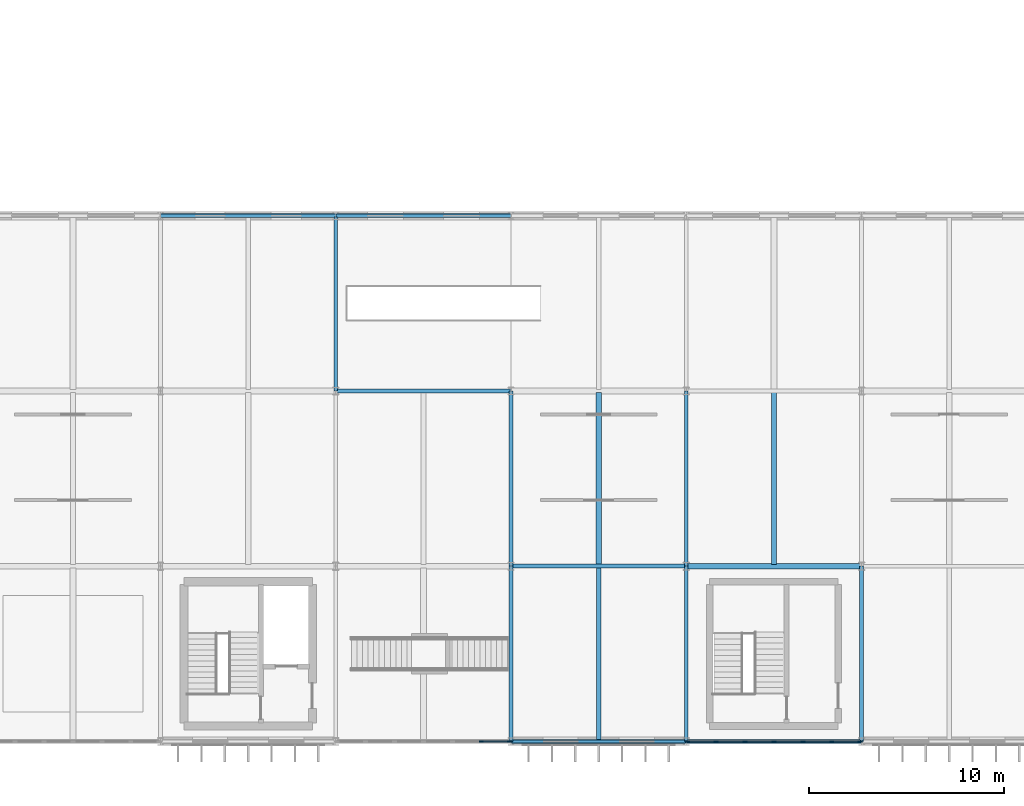
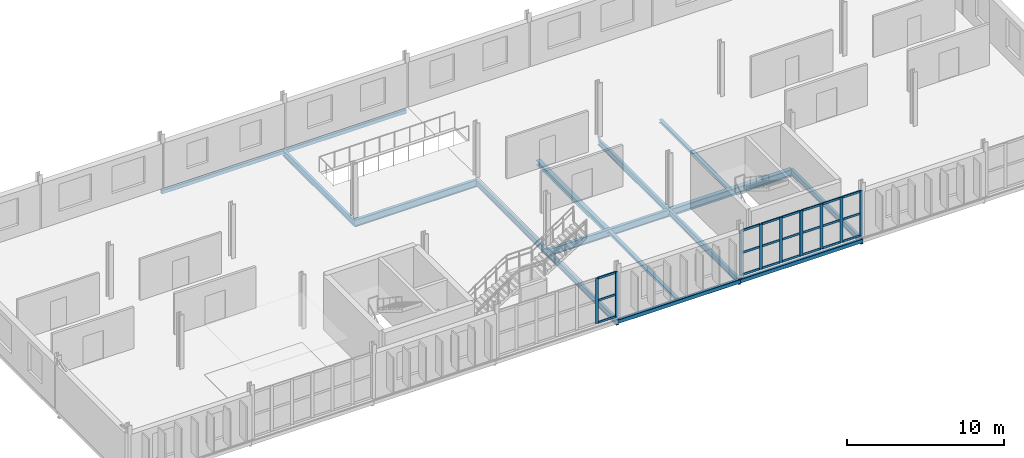
# One storey, part 71 of 161: 30 members, 16 beams, 2 elements without a shape of their own.
"""IFC4 building model written with IfcOpenShell, lengths in metres."""

from ifc_helpers import new_model, si_unit, direction, frame, origin, origin_2d, place, context, subcontext, project, spatial, rectangle, hollow_rectangle, i_section, extrude, material, material_profile, profile_set, type_object, element, aggregate, save


model = new_model("IFC4")

# Units and contexts
model_context = context("Model", 3, precision=1e-05, world=origin(), true_north=direction((0.0, 1.0)))
body_context = subcontext(model_context, "Body", "Model", "MODEL_VIEW")
ifc_project = project(units=[si_unit("LENGTHUNIT", "METRE"), si_unit("AREAUNIT", "SQUARE_METRE"), si_unit("VOLUMEUNIT", "CUBIC_METRE"), si_unit("PLANEANGLEUNIT", "RADIAN"), si_unit("MASSUNIT", "GRAM", prefix="KILO")], contexts=[model_context])

# Site, building, storey
site_placement = place(None, origin())
site = spatial("IfcSite", under=ifc_project, at=site_placement, CompositionType="ELEMENT")
building_placement = place(site_placement, origin())
building = spatial("IfcBuilding", under=site, at=building_placement, Name="Kildeholm Park Wholesale Market", CompositionType="ELEMENT")
storey_placement = place(building_placement, frame((0.0, 0.0, 5.39990234375)))
storey = spatial("IfcBuildingStorey", under=building, at=storey_placement, Name="L01", CompositionType="ELEMENT", Elevation=5.39990234375)

# Beams
ifc_material_1 = material(Name="Steel S355", Category="steel")
ifc_material_profile_1 = material_profile(ifc_material_1, i_section(OverallWidth=0.18994140625, OverallDepth=0.449951171875, WebThickness=0.009521484375, FlangeThickness=0.0146484375, FilletRadius=0.02099609375, at=origin_2d()), Name="IPE 450")
ifc_profile_set_1 = profile_set([ifc_material_profile_1], Name="Steel S355")
beam_type_1 = type_object("IfcBeamType", Name="Beam B-P02 IPE 450", PredefinedType="BEAM", material=ifc_profile_set_1)
for number, where, z_axis, x_axis, name in (
    (1, (153.0, 18.0, -0.46484375), (0.0, 1.0, 0.0), (-1.0, 0.0, 0.0), "Beam BM-V5E-L01-Y-153-018 BM-1558"),
    (2, (162.0, 0.0, -0.46484375), (0.0, 1.0, 0.0), (-1.0, 0.0, 0.0), "Beam BM-V5E-L01-Y-162-000 BM-1561"),
    (3, (162.0, 9.0, -0.46484375), (0.0, 1.0, 0.0), (-1.0, 0.0, 0.0), "Beam BM-V5E-L01-Y-162-009 BM-1564"),
    (4, (171.0, 0.0, -0.46484375), (0.0, 1.0, 0.0), (-1.0, 0.0, 0.0), "Beam BM-V5E-L01-Y-171-000 BM-1570"),
    (5, (171.0, 9.0, -0.46484375), (0.0, 1.0, 0.0), (-1.0, 0.0, 0.0), "Beam BM-V5E-L01-Y-171-009 BM-1572"),
    (6, (180.0, 0.0, -0.46484375), (0.0, 1.0, 0.0), (-1.0, 0.0, 0.0), "Beam BM-V5E-L01-Y-180-000 BM-1579"),
):
    element("IfcBeam", number, at=place(storey_placement, frame(where, z_axis=z_axis, x_axis=x_axis)), inside=storey, type_object=beam_type_1, Name=name, PredefinedType="BEAM", context=body_context, shape_type="SweptSolid", body=[
        extrude(i_section(OverallWidth=0.18994140625, OverallDepth=0.449951171875, WebThickness=0.009521484375, FlangeThickness=0.0146484375, FilletRadius=0.02099609375, at=origin_2d()), origin(), (0.0, 0.0, 1.0), 9.0),
    ])
ifc_material_profile_2 = material_profile(ifc_material_1, i_section(OverallWidth=0.2099609375, OverallDepth=0.550048828125, WebThickness=0.010986328125, FlangeThickness=0.01708984375, FilletRadius=0.02392578125, at=origin_2d()), Name="IPE 550")
ifc_profile_set_2 = profile_set([ifc_material_profile_2], Name="Steel S355")
beam_type_2 = type_object("IfcBeamType", Name="Beam B-X01 IPE 550", PredefinedType="BEAM", material=ifc_profile_set_2)
for number, where, z_axis, x_axis, name in (
    (7, (153.0, 18.0, -0.514892578125), (1.0, 0.0, 0.0), (0.0, 1.0, 0.0), "Beam BM-V5E-L01-X-153-018 BM-1557"),
    (8, (162.0, 9.0, -0.514892578125), (1.0, 0.0, 0.0), (0.0, 1.0, 0.0), "Beam BM-V5E-L01-X-162-009 BM-1563"),
):
    element("IfcBeam", number, at=place(storey_placement, frame(where, z_axis=z_axis, x_axis=x_axis)), inside=storey, type_object=beam_type_2, Name=name, PredefinedType="BEAM", context=body_context, shape_type="SweptSolid", body=[
        extrude(i_section(OverallWidth=0.2099609375, OverallDepth=0.550048828125, WebThickness=0.010986328125, FlangeThickness=0.01708984375, FilletRadius=0.02392578125, at=origin_2d()), origin(), (0.0, 0.0, 1.0), 9.0),
    ])
ifc_material_profile_3 = material_profile(ifc_material_1, i_section(OverallWidth=0.300048828125, OverallDepth=0.5400390625, WebThickness=0.012451171875, FlangeThickness=0.02392578125, FilletRadius=0.027099609375, at=origin_2d()), Name="HEA 550")
ifc_profile_set_3 = profile_set([ifc_material_profile_3], Name="Steel S355")
beam_type_3 = type_object("IfcBeamType", Name="Beam B-X02 HEA 550", PredefinedType="BEAM", material=ifc_profile_set_3)
beam_1_placement = place(storey_placement, frame((171.0, 9.0, -0.510009765625), z_axis=(1.0, 0.0, 0.0), x_axis=(0.0, 1.0, 0.0)))
element("IfcBeam", 9, at=beam_1_placement, inside=storey, type_object=beam_type_3, Name="Beam BM-V5E-L01-X-171-009 BM-1571", PredefinedType="BEAM", context=body_context, shape_type="SweptSolid", body=[
    extrude(i_section(OverallWidth=0.300048828125, OverallDepth=0.5400390625, WebThickness=0.012451171875, FlangeThickness=0.02392578125, FilletRadius=0.027099609375, at=origin_2d()), origin(), (0.0, 0.0, 1.0), 9.0),
])
ifc_material_profile_4 = material_profile(ifc_material_1, i_section(OverallWidth=0.239990234375, OverallDepth=0.22998046875, WebThickness=0.007568359375, FlangeThickness=0.011962890625, FilletRadius=0.02099609375, at=origin_2d()), Name="HEA 240")
ifc_profile_set_4 = profile_set([ifc_material_profile_4], Name="Steel S355")
beam_type_4 = type_object("IfcBeamType", Name="Beam J-05 HEA 240", PredefinedType="JOIST", material=ifc_profile_set_4)
for number, where, z_axis, x_axis, name in (
    (10, (166.5, 0.0849609375, -0.35498046875), (0.0, 1.0, 0.0), (-1.0, 0.0, 0.0), "Beam JT-V5E-L01-162-000 BM-1562"),
    (11, (175.5, 9.0849609375, -0.35498046875), (0.0, 1.0, 0.0), (-1.0, 0.0, 0.0), "Beam JT-V5E-L01-171-009 BM-1573"),
):
    element("IfcBeam", number, at=place(storey_placement, frame(where, z_axis=z_axis, x_axis=x_axis)), inside=storey, type_object=beam_type_4, Name=name, PredefinedType="JOIST", context=body_context, shape_type="SweptSolid", body=[
        extrude(i_section(OverallWidth=0.239990234375, OverallDepth=0.22998046875, WebThickness=0.007568359375, FlangeThickness=0.011962890625, FilletRadius=0.02099609375, at=origin_2d()), origin(), (0.0, 0.0, 1.0), 8.830078125),
    ])
ifc_material_profile_5 = material_profile(ifc_material_1, i_section(OverallWidth=0.300048828125, OverallDepth=0.389892578125, WebThickness=0.010986328125, FlangeThickness=0.01904296875, FilletRadius=0.027099609375, at=origin_2d()), Name="HEA 400")
ifc_profile_set_5 = profile_set([ifc_material_profile_5], Name="Steel S355")
beam_type_5 = type_object("IfcBeamType", Name="Beam J-06 HEA 400", PredefinedType="JOIST", material=ifc_profile_set_5)
beam_2_placement = place(storey_placement, frame((166.5, 9.0849609375, -0.434814453125), z_axis=(0.0, 1.0, 0.0), x_axis=(-1.0, 0.0, 0.0)))
element("IfcBeam", 12, at=beam_2_placement, inside=storey, type_object=beam_type_5, Name="Beam JT-V5E-L01-162-009 BM-1565", PredefinedType="JOIST", context=body_context, shape_type="SweptSolid", body=[
    extrude(i_section(OverallWidth=0.300048828125, OverallDepth=0.389892578125, WebThickness=0.010986328125, FlangeThickness=0.01904296875, FilletRadius=0.027099609375, at=origin_2d()), origin(), (0.0, 0.0, 1.0), 8.830078125),
])
ifc_material_profile_6 = material_profile(ifc_material_1, hollow_rectangle(XDim=0.199951171875, YDim=0.300048828125, WallThickness=0.012451171875, InnerFilletRadius=0.012451171875, OuterFilletRadius=0.02490234375, at=origin_2d()), Name="RHS 300x200x12.5")
ifc_profile_set_6 = profile_set([ifc_material_profile_6], Name="Steel S355")
beam_type_6 = type_object("IfcBeamType", Name="Beam SP-01 RHS 300x200x12.5", PredefinedType="SPANDREL", material=ifc_profile_set_6)
for number, where, z_axis, x_axis, name in (
    (13, (144.0, 27.0, -0.389892578125), (1.0, 0.0, 0.0), (0.0, 1.0, 0.0), "Beam BM-V5E-L01-X-144-027 BM-1550"),
    (14, (153.0, 27.0, -0.389892578125), (1.0, 0.0, 0.0), (0.0, 1.0, 0.0), "Beam BM-V5E-L01-X-153-027 BM-1559"),
    (15, (162.0, 0.0, -0.389892578125), (1.0, 0.0, 0.0), (0.0, 1.0, 0.0), "Beam BM-V5E-L01-X-162-000 BM-1560"),
    (16, (171.0, 0.0, -0.389892578125), (1.0, 0.0, 0.0), (0.0, 1.0, 0.0), "Beam BM-V5E-L01-X-171-000 BM-1569"),
):
    element("IfcBeam", number, at=place(storey_placement, frame(where, z_axis=z_axis, x_axis=x_axis)), inside=storey, type_object=beam_type_6, Name=name, PredefinedType="SPANDREL", context=body_context, shape_type="SweptSolid", body=[
        extrude(hollow_rectangle(XDim=0.199951171875, YDim=0.300048828125, WallThickness=0.012451171875, InnerFilletRadius=0.012451171875, OuterFilletRadius=0.02490234375, at=origin_2d()), origin(), (0.0, 0.0, 1.0), 9.0),
    ])

# Curtain wall, members
ifc_material_2 = material(Name="Anodised aluminium and low-E double-glazed glass", Category="aluminium")
curtain_wall_type = type_object("IfcCurtainWallType", Name="Park wing thermally broken curtain wall CW-03", PredefinedType="NOTDEFINED", material=ifc_material_2)
curtain_wall_1_placement = place(storey_placement, origin())
curtain_wall_1 = element("IfcCurtainWall", 17, at=curtain_wall_1_placement, inside=storey, type_object=curtain_wall_type, Name="Curtain wall CW-V5E-L01-S-04 CW-0152", PredefinedType="NOTDEFINED")
ifc_material_3 = material(Name="Anodised aluminium", Category="aluminium")
ifc_material_profile_7 = material_profile(ifc_material_3, rectangle(XDim=0.074951171875, YDim=0.219970703125, at=origin_2d()), Name="CWM 75x220")
ifc_profile_set_7 = profile_set([ifc_material_profile_7], Name="Anodised aluminium")
member_type_1 = type_object("IfcMemberType", Name="Curtain-wall mullion CWM-2 CWM 75x220", PredefinedType="MULLION", material=ifc_profile_set_7)
member_1_placement = place(storey_placement, frame((160.473388671875, 0.0, 0.0), z_axis=(0.0, 0.0, 1.0), x_axis=(0.0, 1.0, 0.0)))
member_1 = element("IfcMember", 18, at=member_1_placement, type_object=member_type_1, Name="CW-03 mullion 6 MEM-4670", PredefinedType="MULLION", context=body_context, shape_type="SweptSolid", body=[
    extrude(rectangle(XDim=0.074951171875, YDim=0.219970703125, at=origin_2d()), origin(), (0.0, 0.0, 1.0), 3.5),
])
member_2_placement = place(storey_placement, frame((161.922607421875, 0.0, 0.0), z_axis=(0.0, 0.0, 1.0), x_axis=(0.0, 1.0, 0.0)))
member_2 = element("IfcMember", 19, at=member_2_placement, type_object=member_type_1, Name="CW-03 mullion 7 MEM-4671", PredefinedType="MULLION", context=body_context, shape_type="SweptSolid", body=[
    extrude(rectangle(XDim=0.074951171875, YDim=0.219970703125, at=origin_2d()), origin(), (0.0, 0.0, 1.0), 3.5),
])

curtain_wall_2_placement = place(storey_placement, origin())
curtain_wall_2 = element("IfcCurtainWall", 20, at=curtain_wall_2_placement, inside=storey, type_object=curtain_wall_type, Name="Curtain wall CW-V5E-L01-S-06 CW-0153", PredefinedType="NOTDEFINED")
member_3_placement = place(storey_placement, frame((171.077392578125, 0.0, 0.0), z_axis=(0.0, 0.0, 1.0), x_axis=(0.0, 1.0, 0.0)))
member_3 = element("IfcMember", 21, at=member_3_placement, type_object=member_type_1, Name="CW-03 mullion 1 MEM-4690", PredefinedType="MULLION", context=body_context, shape_type="SweptSolid", body=[
    extrude(rectangle(XDim=0.074951171875, YDim=0.219970703125, at=origin_2d()), origin(), (0.0, 0.0, 1.0), 3.5),
])
member_4_placement = place(storey_placement, frame((172.526611328125, 0.0, 0.0), z_axis=(0.0, 0.0, 1.0), x_axis=(0.0, 1.0, 0.0)))
member_4 = element("IfcMember", 22, at=member_4_placement, type_object=member_type_1, Name="CW-03 mullion 2 MEM-4691", PredefinedType="MULLION", context=body_context, shape_type="SweptSolid", body=[
    extrude(rectangle(XDim=0.074951171875, YDim=0.219970703125, at=origin_2d()), origin(), (0.0, 0.0, 1.0), 3.5),
])
member_5_placement = place(storey_placement, frame((174.013427734375, 0.0, 0.0), z_axis=(0.0, 0.0, 1.0), x_axis=(0.0, 1.0, 0.0)))
member_5 = element("IfcMember", 23, at=member_5_placement, type_object=member_type_1, Name="CW-03 mullion 3 MEM-4692", PredefinedType="MULLION", context=body_context, shape_type="SweptSolid", body=[
    extrude(rectangle(XDim=0.074951171875, YDim=0.219970703125, at=origin_2d()), origin(), (0.0, 0.0, 1.0), 3.5),
])
member_6_placement = place(storey_placement, frame((175.5, 0.0, 0.0), z_axis=(0.0, 0.0, 1.0), x_axis=(0.0, 1.0, 0.0)))
member_6 = element("IfcMember", 24, at=member_6_placement, type_object=member_type_1, Name="CW-03 mullion 4 MEM-4693", PredefinedType="MULLION", context=body_context, shape_type="SweptSolid", body=[
    extrude(rectangle(XDim=0.074951171875, YDim=0.219970703125, at=origin_2d()), origin(), (0.0, 0.0, 1.0), 3.5),
])
member_7_placement = place(storey_placement, frame((176.986572265625, 0.0, 0.0), z_axis=(0.0, 0.0, 1.0), x_axis=(0.0, 1.0, 0.0)))
member_7 = element("IfcMember", 25, at=member_7_placement, type_object=member_type_1, Name="CW-03 mullion 5 MEM-4694", PredefinedType="MULLION", context=body_context, shape_type="SweptSolid", body=[
    extrude(rectangle(XDim=0.074951171875, YDim=0.219970703125, at=origin_2d()), origin(), (0.0, 0.0, 1.0), 3.5),
])
member_8_placement = place(storey_placement, frame((178.473388671875, 0.0, 0.0), z_axis=(0.0, 0.0, 1.0), x_axis=(0.0, 1.0, 0.0)))
member_8 = element("IfcMember", 26, at=member_8_placement, type_object=member_type_1, Name="CW-03 mullion 6 MEM-4695", PredefinedType="MULLION", context=body_context, shape_type="SweptSolid", body=[
    extrude(rectangle(XDim=0.074951171875, YDim=0.219970703125, at=origin_2d()), origin(), (0.0, 0.0, 1.0), 3.5),
])
member_9_placement = place(storey_placement, frame((179.922607421875, 0.0, 0.0), z_axis=(0.0, 0.0, 1.0), x_axis=(0.0, 1.0, 0.0)))
member_9 = element("IfcMember", 27, at=member_9_placement, type_object=member_type_1, Name="CW-03 mullion 7 MEM-4696", PredefinedType="MULLION", context=body_context, shape_type="SweptSolid", body=[
    extrude(rectangle(XDim=0.074951171875, YDim=0.219970703125, at=origin_2d()), origin(), (0.0, 0.0, 1.0), 3.5),
])

# Member
ifc_material_profile_8 = material_profile(ifc_material_3, rectangle(XDim=0.074951171875, YDim=0.159912109375, at=origin_2d()), Name="CWT 75x160")
ifc_profile_set_8 = profile_set([ifc_material_profile_8], Name="Anodised aluminium")
member_type_2 = type_object("IfcMemberType", Name="Curtain-wall transom CWT-2 CWT 75x160", PredefinedType="USERDEFINED", material=ifc_profile_set_8)
member_10_placement = place(storey_placement, frame((160.5107421875, 0.0, 0.03759765625), z_axis=(1.0, 0.0, 0.0), x_axis=(0.0, 1.0, 0.0)))
member_10 = element("IfcMember", 28, at=member_10_placement, type_object=member_type_2, Name="CW-03 transom 6.1 MEM-4687", ObjectType="TRANSOM", PredefinedType="USERDEFINED", context=body_context, shape_type="SweptSolid", body=[
    extrude(rectangle(XDim=0.074951171875, YDim=0.159912109375, at=origin_2d()), origin(), (0.0, 0.0, 1.0), 1.374267578125),
])

member_11_placement = place(storey_placement, frame((160.5107421875, 0.0, 1.75), z_axis=(1.0, 0.0, 0.0), x_axis=(0.0, 1.0, 0.0)))
member_11 = element("IfcMember", 29, at=member_11_placement, type_object=member_type_2, Name="CW-03 transom 6.2 MEM-4688", ObjectType="TRANSOM", PredefinedType="USERDEFINED", context=body_context, shape_type="SweptSolid", body=[
    extrude(rectangle(XDim=0.074951171875, YDim=0.159912109375, at=origin_2d()), origin(), (0.0, 0.0, 1.0), 1.374267578125),
])

member_12_placement = place(storey_placement, frame((160.5107421875, 0.0, 3.462646484375), z_axis=(1.0, 0.0, 0.0), x_axis=(0.0, 1.0, 0.0)))
member_12 = element("IfcMember", 30, at=member_12_placement, type_object=member_type_2, Name="CW-03 transom 6.3 MEM-4689", ObjectType="TRANSOM", PredefinedType="USERDEFINED", context=body_context, shape_type="SweptSolid", body=[
    extrude(rectangle(XDim=0.074951171875, YDim=0.159912109375, at=origin_2d()), origin(), (0.0, 0.0, 1.0), 1.374267578125),
])

aggregate(curtain_wall_1, [member_1, member_2, member_10, member_11, member_12])

member_13_placement = place(storey_placement, frame((171.114990234375, 0.0, 0.03759765625), z_axis=(1.0, 0.0, 0.0), x_axis=(0.0, 1.0, 0.0)))
member_13 = element("IfcMember", 31, at=member_13_placement, type_object=member_type_2, Name="CW-03 transom 1.1 MEM-4697", ObjectType="TRANSOM", PredefinedType="USERDEFINED", context=body_context, shape_type="SweptSolid", body=[
    extrude(rectangle(XDim=0.074951171875, YDim=0.159912109375, at=origin_2d()), origin(), (0.0, 0.0, 1.0), 1.374267578125),
])

member_14_placement = place(storey_placement, frame((171.114990234375, 0.0, 1.75), z_axis=(1.0, 0.0, 0.0), x_axis=(0.0, 1.0, 0.0)))
member_14 = element("IfcMember", 32, at=member_14_placement, type_object=member_type_2, Name="CW-03 transom 1.2 MEM-4698", ObjectType="TRANSOM", PredefinedType="USERDEFINED", context=body_context, shape_type="SweptSolid", body=[
    extrude(rectangle(XDim=0.074951171875, YDim=0.159912109375, at=origin_2d()), origin(), (0.0, 0.0, 1.0), 1.374267578125),
])

member_15_placement = place(storey_placement, frame((171.114990234375, 0.0, 3.462646484375), z_axis=(1.0, 0.0, 0.0), x_axis=(0.0, 1.0, 0.0)))
member_15 = element("IfcMember", 33, at=member_15_placement, type_object=member_type_2, Name="CW-03 transom 1.3 MEM-4699", ObjectType="TRANSOM", PredefinedType="USERDEFINED", context=body_context, shape_type="SweptSolid", body=[
    extrude(rectangle(XDim=0.074951171875, YDim=0.159912109375, at=origin_2d()), origin(), (0.0, 0.0, 1.0), 1.374267578125),
])

member_16_placement = place(storey_placement, frame((172.564208984375, 0.0, 0.03759765625), z_axis=(1.0, 0.0, 0.0), x_axis=(0.0, 1.0, 0.0)))
member_16 = element("IfcMember", 34, at=member_16_placement, type_object=member_type_2, Name="CW-03 transom 2.1 MEM-4700", ObjectType="TRANSOM", PredefinedType="USERDEFINED", context=body_context, shape_type="SweptSolid", body=[
    extrude(rectangle(XDim=0.074951171875, YDim=0.159912109375, at=origin_2d()), origin(), (0.0, 0.0, 1.0), 1.41162109375),
])

member_17_placement = place(storey_placement, frame((172.564208984375, 0.0, 1.75), z_axis=(1.0, 0.0, 0.0), x_axis=(0.0, 1.0, 0.0)))
member_17 = element("IfcMember", 35, at=member_17_placement, type_object=member_type_2, Name="CW-03 transom 2.2 MEM-4701", ObjectType="TRANSOM", PredefinedType="USERDEFINED", context=body_context, shape_type="SweptSolid", body=[
    extrude(rectangle(XDim=0.074951171875, YDim=0.159912109375, at=origin_2d()), origin(), (0.0, 0.0, 1.0), 1.41162109375),
])

member_18_placement = place(storey_placement, frame((172.564208984375, 0.0, 3.462646484375), z_axis=(1.0, 0.0, 0.0), x_axis=(0.0, 1.0, 0.0)))
member_18 = element("IfcMember", 36, at=member_18_placement, type_object=member_type_2, Name="CW-03 transom 2.3 MEM-4702", ObjectType="TRANSOM", PredefinedType="USERDEFINED", context=body_context, shape_type="SweptSolid", body=[
    extrude(rectangle(XDim=0.074951171875, YDim=0.159912109375, at=origin_2d()), origin(), (0.0, 0.0, 1.0), 1.41162109375),
])

member_19_placement = place(storey_placement, frame((174.05078125, 0.0, 0.03759765625), z_axis=(1.0, 0.0, 0.0), x_axis=(0.0, 1.0, 0.0)))
member_19 = element("IfcMember", 37, at=member_19_placement, type_object=member_type_2, Name="CW-03 transom 3.1 MEM-4703", ObjectType="TRANSOM", PredefinedType="USERDEFINED", context=body_context, shape_type="SweptSolid", body=[
    extrude(rectangle(XDim=0.074951171875, YDim=0.159912109375, at=origin_2d()), origin(), (0.0, 0.0, 1.0), 1.41162109375),
])

member_20_placement = place(storey_placement, frame((174.05078125, 0.0, 1.75), z_axis=(1.0, 0.0, 0.0), x_axis=(0.0, 1.0, 0.0)))
member_20 = element("IfcMember", 38, at=member_20_placement, type_object=member_type_2, Name="CW-03 transom 3.2 MEM-4704", ObjectType="TRANSOM", PredefinedType="USERDEFINED", context=body_context, shape_type="SweptSolid", body=[
    extrude(rectangle(XDim=0.074951171875, YDim=0.159912109375, at=origin_2d()), origin(), (0.0, 0.0, 1.0), 1.41162109375),
])

member_21_placement = place(storey_placement, frame((174.05078125, 0.0, 3.462646484375), z_axis=(1.0, 0.0, 0.0), x_axis=(0.0, 1.0, 0.0)))
member_21 = element("IfcMember", 39, at=member_21_placement, type_object=member_type_2, Name="CW-03 transom 3.3 MEM-4705", ObjectType="TRANSOM", PredefinedType="USERDEFINED", context=body_context, shape_type="SweptSolid", body=[
    extrude(rectangle(XDim=0.074951171875, YDim=0.159912109375, at=origin_2d()), origin(), (0.0, 0.0, 1.0), 1.41162109375),
])

member_22_placement = place(storey_placement, frame((175.53759765625, 0.0, 0.03759765625), z_axis=(1.0, 0.0, 0.0), x_axis=(0.0, 1.0, 0.0)))
member_22 = element("IfcMember", 40, at=member_22_placement, type_object=member_type_2, Name="CW-03 transom 4.1 MEM-4706", ObjectType="TRANSOM", PredefinedType="USERDEFINED", context=body_context, shape_type="SweptSolid", body=[
    extrude(rectangle(XDim=0.074951171875, YDim=0.159912109375, at=origin_2d()), origin(), (0.0, 0.0, 1.0), 1.41162109375),
])

member_23_placement = place(storey_placement, frame((175.53759765625, 0.0, 1.75), z_axis=(1.0, 0.0, 0.0), x_axis=(0.0, 1.0, 0.0)))
member_23 = element("IfcMember", 41, at=member_23_placement, type_object=member_type_2, Name="CW-03 transom 4.2 MEM-4707", ObjectType="TRANSOM", PredefinedType="USERDEFINED", context=body_context, shape_type="SweptSolid", body=[
    extrude(rectangle(XDim=0.074951171875, YDim=0.159912109375, at=origin_2d()), origin(), (0.0, 0.0, 1.0), 1.41162109375),
])

member_24_placement = place(storey_placement, frame((175.53759765625, 0.0, 3.462646484375), z_axis=(1.0, 0.0, 0.0), x_axis=(0.0, 1.0, 0.0)))
member_24 = element("IfcMember", 42, at=member_24_placement, type_object=member_type_2, Name="CW-03 transom 4.3 MEM-4708", ObjectType="TRANSOM", PredefinedType="USERDEFINED", context=body_context, shape_type="SweptSolid", body=[
    extrude(rectangle(XDim=0.074951171875, YDim=0.159912109375, at=origin_2d()), origin(), (0.0, 0.0, 1.0), 1.41162109375),
])

member_25_placement = place(storey_placement, frame((177.024169921875, 0.0, 0.03759765625), z_axis=(1.0, 0.0, 0.0), x_axis=(0.0, 1.0, 0.0)))
member_25 = element("IfcMember", 43, at=member_25_placement, type_object=member_type_2, Name="CW-03 transom 5.1 MEM-4709", ObjectType="TRANSOM", PredefinedType="USERDEFINED", context=body_context, shape_type="SweptSolid", body=[
    extrude(rectangle(XDim=0.074951171875, YDim=0.159912109375, at=origin_2d()), origin(), (0.0, 0.0, 1.0), 1.41162109375),
])

member_26_placement = place(storey_placement, frame((177.024169921875, 0.0, 1.75), z_axis=(1.0, 0.0, 0.0), x_axis=(0.0, 1.0, 0.0)))
member_26 = element("IfcMember", 44, at=member_26_placement, type_object=member_type_2, Name="CW-03 transom 5.2 MEM-4710", ObjectType="TRANSOM", PredefinedType="USERDEFINED", context=body_context, shape_type="SweptSolid", body=[
    extrude(rectangle(XDim=0.074951171875, YDim=0.159912109375, at=origin_2d()), origin(), (0.0, 0.0, 1.0), 1.41162109375),
])

member_27_placement = place(storey_placement, frame((177.024169921875, 0.0, 3.462646484375), z_axis=(1.0, 0.0, 0.0), x_axis=(0.0, 1.0, 0.0)))
member_27 = element("IfcMember", 45, at=member_27_placement, type_object=member_type_2, Name="CW-03 transom 5.3 MEM-4711", ObjectType="TRANSOM", PredefinedType="USERDEFINED", context=body_context, shape_type="SweptSolid", body=[
    extrude(rectangle(XDim=0.074951171875, YDim=0.159912109375, at=origin_2d()), origin(), (0.0, 0.0, 1.0), 1.41162109375),
])

member_28_placement = place(storey_placement, frame((178.5107421875, 0.0, 0.03759765625), z_axis=(1.0, 0.0, 0.0), x_axis=(0.0, 1.0, 0.0)))
member_28 = element("IfcMember", 46, at=member_28_placement, type_object=member_type_2, Name="CW-03 transom 6.1 MEM-4712", ObjectType="TRANSOM", PredefinedType="USERDEFINED", context=body_context, shape_type="SweptSolid", body=[
    extrude(rectangle(XDim=0.074951171875, YDim=0.159912109375, at=origin_2d()), origin(), (0.0, 0.0, 1.0), 1.374267578125),
])

member_29_placement = place(storey_placement, frame((178.5107421875, 0.0, 1.75), z_axis=(1.0, 0.0, 0.0), x_axis=(0.0, 1.0, 0.0)))
member_29 = element("IfcMember", 47, at=member_29_placement, type_object=member_type_2, Name="CW-03 transom 6.2 MEM-4713", ObjectType="TRANSOM", PredefinedType="USERDEFINED", context=body_context, shape_type="SweptSolid", body=[
    extrude(rectangle(XDim=0.074951171875, YDim=0.159912109375, at=origin_2d()), origin(), (0.0, 0.0, 1.0), 1.374267578125),
])

member_30_placement = place(storey_placement, frame((178.5107421875, 0.0, 3.462646484375), z_axis=(1.0, 0.0, 0.0), x_axis=(0.0, 1.0, 0.0)))
member_30 = element("IfcMember", 48, at=member_30_placement, type_object=member_type_2, Name="CW-03 transom 6.3 MEM-4714", ObjectType="TRANSOM", PredefinedType="USERDEFINED", context=body_context, shape_type="SweptSolid", body=[
    extrude(rectangle(XDim=0.074951171875, YDim=0.159912109375, at=origin_2d()), origin(), (0.0, 0.0, 1.0), 1.374267578125),
])

aggregate(curtain_wall_2, [member_3, member_4, member_5, member_6, member_7, member_8, member_9, member_13, member_14, member_15, member_16, member_17, member_18, member_19, member_20, member_21, member_22, member_23, member_24, member_25, member_26, member_27, member_28, member_29, member_30])

save(model, "model.ifc")
